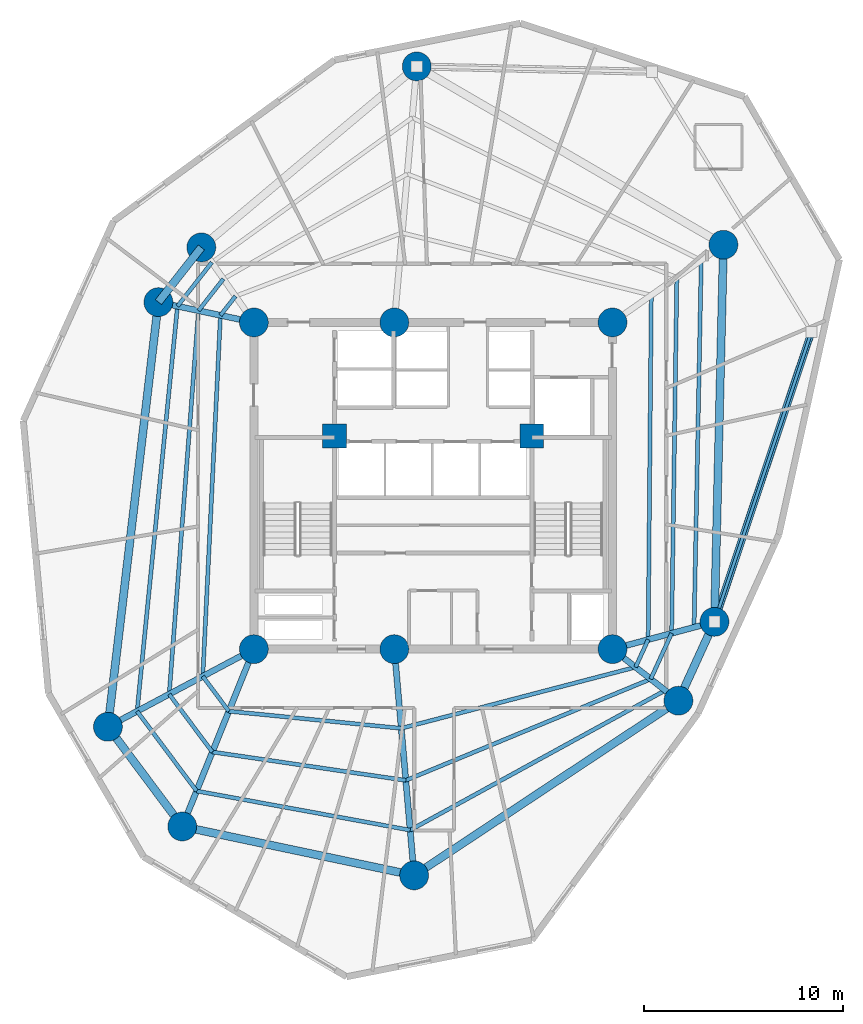
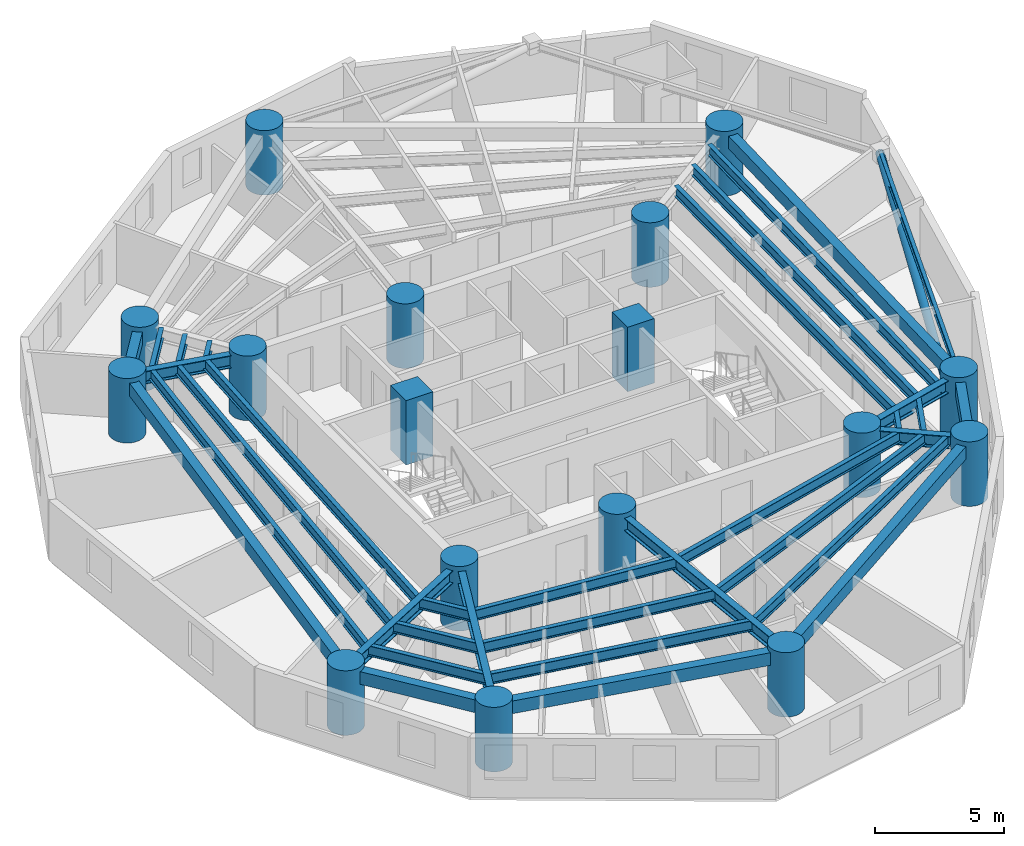
# One storey, part 1 of 8: 34 beams, 17 columns, 1 member.
"""IFC4 building model written with IfcOpenShell, lengths in metres."""

from ifc_helpers import new_model, si_unit, direction, frame, origin, origin_with_axes, origin_2d, place, context, subcontext, project, spatial, rectangle, circle, hollow_circle, i_section, extrude, source, transform, mapped, material, material_profile, profile_set, type_object, element, save


model = new_model("IFC4")

# Units and contexts
model_context = context("Model", 3, precision=1e-05, world=origin(), true_north=direction((0.0, 1.0)))
body_context = subcontext(model_context, "Body", "Model", "MODEL_VIEW")
ifc_project = project(units=[si_unit("LENGTHUNIT", "METRE"), si_unit("AREAUNIT", "SQUARE_METRE"), si_unit("VOLUMEUNIT", "CUBIC_METRE"), si_unit("PLANEANGLEUNIT", "RADIAN"), si_unit("MASSUNIT", "GRAM", prefix="KILO")], contexts=[model_context])

# Site, building, storey
site_placement = place(None, origin())
site = spatial("IfcSite", under=ifc_project, at=site_placement, CompositionType="ELEMENT")
building_placement = place(site_placement, origin())
building = spatial("IfcBuilding", under=site, at=building_placement, Name="Karkom Vertical University and Central Library", CompositionType="ELEMENT")
storey_placement = place(building_placement, frame((0.0, 0.0, 126.699951171875)))
storey = spatial("IfcBuildingStorey", under=building, at=storey_placement, Name="L35", CompositionType="ELEMENT", Elevation=126.699951171875)

# Columns
ifc_material_1 = material(Name="Concrete C50/60", Category="concrete")
ifc_material_profile_1 = material_profile(ifc_material_1, circle(Radius=0.72509765625, at=origin_2d()), Name="CFT-D1450")
ifc_profile_set_1 = profile_set([ifc_material_profile_1], Name="Concrete C50/60")
column_type_1 = type_object("IfcColumnType", Name="STR-COL-C-SC3", PredefinedType="COLUMN", material=ifc_profile_set_1)
shared_shape_1 = source(origin_with_axes(), body_context, "Body", "SweptSolid", [
    extrude(circle(Radius=0.72509765625, at=origin_2d()), origin(), (0.0, 0.0, 1.0), 3.050048828125),
])
for number, where, z_axis, x_axis, name in (
    (1, (19.5, 18.300048828125, 0.0), (0.0, 0.0, 1.0), (1.0, 0.0, 0.0), "Level 35 Spine Mega-Column SC-1"),
    (2, (26.550048828125, 18.300048828125, 0.0), (0.0, 0.0, 1.0), (1.0, 0.0, 0.0), "Level 35 Spine Mega-Column SC-2"),
    (3, (37.5, 18.300048828125, 0.0), (0.0, 0.0, 1.0), (1.0, 0.0, 0.0), "Level 35 Spine Mega-Column SC-3"),
    (4, (19.5, 34.699951171875, 0.0), (0.0, 0.0, 1.0), (1.0, 0.0, 0.0), "Level 35 Spine Mega-Column SC-4"),
    (5, (26.550048828125, 34.699951171875, 0.0), (0.0, 0.0, 1.0), (1.0, 0.0, 0.0), "Level 35 Spine Mega-Column SC-5"),
    (6, (37.5, 34.699951171875, 0.0), (0.0, 0.0, 1.0), (1.0, 0.0, 0.0), "Level 35 Spine Mega-Column SC-6"),
    (7, (42.618896484375, 19.672119140625, 0.0), (0.0, 0.0, 1.0), (1.0, 0.0, 0.0), "Level 35 Perimeter Mega-Column Z2-PC1"),
    (8, (43.070068359375, 38.60009765625, 0.0), (0.0, 0.0, 1.0), (1.0, 0.0, 0.0), "Level 35 Perimeter Mega-Column Z2-PC2"),
    (9, (27.674072265625, 47.551025390625, 0.0), (0.0, 0.0, 1.0), (1.0, 0.0, 0.0), "Level 35 Perimeter Mega-Column Z2-PC3"),
    (10, (16.862060546875, 38.468017578125, 0.0), (0.0, 0.0, 1.0), (1.0, 0.0, 0.0), "Level 35 Perimeter Mega-Column Z2-PC4"),
    (11, (14.70703125, 35.718994140625, 0.0), (0.0, 0.0, 1.0), (1.0, 0.0, 0.0), "Level 35 Perimeter Mega-Column Z2-PC5"),
    (12, (12.172119140625, 14.403076171875, 0.0), (0.0, 0.0, 1.0), (1.0, 0.0, 0.0), "Level 35 Perimeter Mega-Column Z2-PC6"),
    (13, (15.904052734375, 9.39892578125, 0.0), (0.0, 0.0, 1.0), (1.0, 0.0, 0.0), "Level 35 Perimeter Mega-Column Z2-PC7"),
    (14, (27.5439453125, 6.943115234375, 0.0), (0.0, 0.0, 1.0), (1.0, 0.0, 0.0), "Level 35 Perimeter Mega-Column Z2-PC8"),
    (15, (40.81005859375, 15.714111328125, 0.0), (0.0, 0.0, 1.0), (1.0, 0.0, 0.0), "Level 35 Perimeter Mega-Column Z2-PC9"),
):
    element("IfcColumn", number, at=place(storey_placement, frame(where, z_axis=z_axis, x_axis=x_axis)), inside=storey, type_object=column_type_1, Name=name, PredefinedType="COLUMN", context=body_context, shape_type="MappedRepresentation", body=[
        mapped(shared_shape_1, transform((0.0, 0.0, 0.0), scale=1.0)),
    ])
ifc_material_profile_2 = material_profile(ifc_material_1, rectangle(XDim=1.199951171875, YDim=1.199951171875, at=origin_2d()), Name="RC-1200x1200")
ifc_profile_set_2 = profile_set([ifc_material_profile_2], Name="Concrete C50/60")
column_type_2 = type_object("IfcColumnType", Name="STR-COL-C-CC1", PredefinedType="COLUMN", material=ifc_profile_set_2)
shared_shape_2 = source(origin_with_axes(), body_context, "Body", "SweptSolid", [
    extrude(rectangle(XDim=1.199951171875, YDim=1.199951171875, at=origin_2d()), origin(), (0.0, 0.0, 1.0), 3.050048828125),
])
for number, where, z_axis, x_axis, name in (
    (16, (23.550048828125, 29.0, 0.0), (0.0, 0.0, 1.0), (1.0, 0.0, 0.0), "Level 35 Core Node Column CC-1"),
    (17, (33.449951171875, 29.0, 0.0), (0.0, 0.0, 1.0), (1.0, 0.0, 0.0), "Level 35 Core Node Column CC-2"),
):
    element("IfcColumn", number, at=place(storey_placement, frame(where, z_axis=z_axis, x_axis=x_axis)), inside=storey, type_object=column_type_2, Name=name, PredefinedType="COLUMN", context=body_context, shape_type="MappedRepresentation", body=[
        mapped(shared_shape_2, transform((0.0, 0.0, 0.0), scale=1.0)),
    ])

# Beams
ifc_material_2 = material(Name="Precast concrete C45/55", Category="concrete")
ifc_material_profile_3 = material_profile(ifc_material_2, rectangle(XDim=0.39990234375, YDim=0.60009765625, at=origin_2d()), Name="SPB-400x600")
ifc_profile_set_3 = profile_set([ifc_material_profile_3], Name="Precast concrete C45/55")
beam_type_1 = type_object("IfcBeamType", Name="STR-BM-SP-1", PredefinedType="SPANDREL", material=ifc_profile_set_3)
shared_shape_3 = source(origin_with_axes(), body_context, "Body", "SweptSolid", [
    extrude(rectangle(XDim=0.39990234375, YDim=0.60009765625, at=origin_2d()), origin(), (0.0, 0.0, 1.0), 18.933349609375),
])
beam_1_placement = place(storey_placement, frame((42.618896484375, 19.672119140625, 2.525146484375), z_axis=(0.02382947333, 0.999716037783, 0.0), x_axis=(-0.999716037783, 0.02382947333, 0.0)))
element("IfcBeam", 18, at=beam_1_placement, inside=storey, type_object=beam_type_1, Name="Level 35 Perimeter Spandrel Beam 01", PredefinedType="SPANDREL", context=body_context, shape_type="MappedRepresentation", body=[
    mapped(shared_shape_3, transform((0.0, 0.0, 0.0), scale=1.0)),
])
shared_shape_4 = source(origin_with_axes(), body_context, "Body", "SweptSolid", [
    extrude(rectangle(XDim=0.39990234375, YDim=0.60009765625, at=origin_2d()), origin(), (0.0, 0.0, 1.0), 3.492919921875),
])
beam_2_placement = place(storey_placement, frame((16.862060546875, 38.468017578125, 2.525146484375), z_axis=(-0.616950700538, -0.787001799938, 0.0), x_axis=(0.787001799938, -0.616950700538, 0.0)))
element("IfcBeam", 19, at=beam_2_placement, inside=storey, type_object=beam_type_1, Name="Level 35 Perimeter Spandrel Beam 04", PredefinedType="SPANDREL", context=body_context, shape_type="MappedRepresentation", body=[
    mapped(shared_shape_4, transform((0.0, 0.0, 0.0), scale=1.0)),
])
shared_shape_5 = source(origin_with_axes(), body_context, "Body", "SweptSolid", [
    extrude(rectangle(XDim=0.39990234375, YDim=0.60009765625, at=origin_2d()), origin(), (0.0, 0.0, 1.0), 21.466064453125),
])
beam_3_placement = place(storey_placement, frame((14.70703125, 35.718994140625, 2.525146484375), z_axis=(-0.118088996795, -0.993003015522, 0.0), x_axis=(0.993003015522, -0.118088996795, 0.0)))
element("IfcBeam", 20, at=beam_3_placement, inside=storey, type_object=beam_type_1, Name="Level 35 Perimeter Spandrel Beam 05", PredefinedType="SPANDREL", context=body_context, shape_type="MappedRepresentation", body=[
    mapped(shared_shape_5, transform((0.0, 0.0, 0.0), scale=1.0)),
])
shared_shape_6 = source(origin_with_axes(), body_context, "Body", "SweptSolid", [
    extrude(rectangle(XDim=0.39990234375, YDim=0.60009765625, at=origin_2d()), origin(), (0.0, 0.0, 1.0), 6.242431640625),
])
beam_4_placement = place(storey_placement, frame((12.172119140625, 14.403076171875, 2.525146484375), z_axis=(0.59782643552, -0.801625569074, 0.0), x_axis=(0.801625569074, 0.59782643552, 0.0)))
element("IfcBeam", 21, at=beam_4_placement, inside=storey, type_object=beam_type_1, Name="Level 35 Perimeter Spandrel Beam 06", PredefinedType="SPANDREL", context=body_context, shape_type="MappedRepresentation", body=[
    mapped(shared_shape_6, transform((0.0, 0.0, 0.0), scale=1.0)),
])
shared_shape_7 = source(origin_with_axes(), body_context, "Body", "SweptSolid", [
    extrude(rectangle(XDim=0.39990234375, YDim=0.60009765625, at=origin_2d()), origin(), (0.0, 0.0, 1.0), 11.896240234375),
])
beam_5_placement = place(storey_placement, frame((15.904052734375, 9.39892578125, 2.525146484375), z_axis=(0.978459762135, -0.206437627101, 0.0), x_axis=(0.206437627101, 0.978459762135, 0.0)))
element("IfcBeam", 22, at=beam_5_placement, inside=storey, type_object=beam_type_1, Name="Level 35 Perimeter Spandrel Beam 07", PredefinedType="SPANDREL", context=body_context, shape_type="MappedRepresentation", body=[
    mapped(shared_shape_7, transform((0.0, 0.0, 0.0), scale=1.0)),
])
shared_shape_8 = source(origin_with_axes(), body_context, "Body", "SweptSolid", [
    extrude(rectangle(XDim=0.39990234375, YDim=0.60009765625, at=origin_2d()), origin(), (0.0, 0.0, 1.0), 15.903564453125),
])
beam_6_placement = place(storey_placement, frame((27.5439453125, 6.943115234375, 2.525146484375), z_axis=(0.834165069331, 0.551514856652, 0.0), x_axis=(-0.551514856652, 0.834165069331, 0.0)))
element("IfcBeam", 23, at=beam_6_placement, inside=storey, type_object=beam_type_1, Name="Level 35 Perimeter Spandrel Beam 08", PredefinedType="SPANDREL", context=body_context, shape_type="MappedRepresentation", body=[
    mapped(shared_shape_8, transform((0.0, 0.0, 0.0), scale=1.0)),
])
shared_shape_9 = source(origin_with_axes(), body_context, "Body", "SweptSolid", [
    extrude(rectangle(XDim=0.39990234375, YDim=0.60009765625, at=origin_2d()), origin(), (0.0, 0.0, 1.0), 4.351806640625),
])
beam_7_placement = place(storey_placement, frame((40.81005859375, 15.714111328125, 2.525146484375), z_axis=(0.415657668422, 0.909521139217, 0.0), x_axis=(-0.909521139217, 0.415657668422, 0.0)))
element("IfcBeam", 24, at=beam_7_placement, inside=storey, type_object=beam_type_1, Name="Level 35 Perimeter Spandrel Beam 09", PredefinedType="SPANDREL", context=body_context, shape_type="MappedRepresentation", body=[
    mapped(shared_shape_9, transform((0.0, 0.0, 0.0), scale=1.0)),
])
ifc_material_3 = material(Name="Steel S355", Category="steel")
ifc_material_profile_4 = material_profile(ifc_material_3, i_section(OverallWidth=0.199951171875, OverallDepth=0.5, WebThickness=0.01025390625, FlangeThickness=0.01611328125, FilletRadius=0.02099609375, at=origin_2d()), Name="IPE 500")
ifc_profile_set_4 = profile_set([ifc_material_profile_4], Name="Steel S355")
beam_type_2 = type_object("IfcBeamType", Name="STR-BM-SB-IPE500", PredefinedType="BEAM", material=ifc_profile_set_4)
shared_shape_10 = source(origin_with_axes(), body_context, "Body", "SweptSolid", [
    extrude(i_section(OverallWidth=0.199951171875, OverallDepth=0.5, WebThickness=0.01025390625, FlangeThickness=0.01611328125, FilletRadius=0.02099609375, at=origin_2d()), origin(), (0.0, 0.0, 1.0), 17.285400390625),
])
beam_8_placement = place(storey_placement, frame((39.29150390625, 18.7802734375, 2.574951171875), z_axis=(0.009138294648, 0.999958244914, 0.0), x_axis=(-0.999958244914, 0.009138294648, 0.0)))
element("IfcBeam", 25, at=beam_8_placement, inside=storey, type_object=beam_type_2, Name="Level 35 Secondary Composite Floor Beam 1.01", PredefinedType="BEAM", context=body_context, shape_type="MappedRepresentation", body=[
    mapped(shared_shape_10, transform((0.0, 0.0, 0.0), scale=1.0)),
])
shared_shape_11 = source(origin_with_axes(), body_context, "Body", "SweptSolid", [
    extrude(i_section(OverallWidth=0.199951171875, OverallDepth=0.5, WebThickness=0.01025390625, FlangeThickness=0.01611328125, FilletRadius=0.02099609375, at=origin_2d()), origin(), (0.0, 0.0, 1.0), 1.222412109375),
])
beam_9_placement = place(storey_placement, frame((18.57666015625, 36.018798828125, 2.574951171875), z_axis=(-0.616895037184, -0.787045432677, 0.0), x_axis=(0.787045432677, -0.616895037184, 0.0)))
element("IfcBeam", 26, at=beam_9_placement, inside=storey, type_object=beam_type_2, Name="Level 35 Secondary Composite Floor Beam 1.04", PredefinedType="BEAM", context=body_context, shape_type="MappedRepresentation", body=[
    mapped(shared_shape_11, transform((0.0, 0.0, 0.0), scale=1.0)),
])
shared_shape_12 = source(origin_with_axes(), body_context, "Body", "SweptSolid", [
    extrude(i_section(OverallWidth=0.199951171875, OverallDepth=0.5, WebThickness=0.01025390625, FlangeThickness=0.01611328125, FilletRadius=0.02099609375, at=origin_2d()), origin(), (0.0, 0.0, 1.0), 18.142333984375),
])
beam_10_placement = place(storey_placement, frame((17.822509765625, 35.056640625, 2.574951171875), z_axis=(-0.048902644774, -0.998803549921, 0.0), x_axis=(0.998803549921, -0.048902644774, 0.0)))
element("IfcBeam", 27, at=beam_10_placement, inside=storey, type_object=beam_type_2, Name="Level 35 Secondary Composite Floor Beam 1.05", PredefinedType="BEAM", context=body_context, shape_type="MappedRepresentation", body=[
    mapped(shared_shape_12, transform((0.0, 0.0, 0.0), scale=1.0)),
])
shared_shape_13 = source(origin_with_axes(), body_context, "Body", "SweptSolid", [
    extrude(i_section(OverallWidth=0.199951171875, OverallDepth=0.5, WebThickness=0.01025390625, FlangeThickness=0.01611328125, FilletRadius=0.02099609375, at=origin_2d()), origin(), (0.0, 0.0, 1.0), 2.1845703125),
])
beam_11_placement = place(storey_placement, frame((16.935302734375, 16.93603515625, 2.574951171875), z_axis=(0.597870130664, -0.801592980795, 0.0), x_axis=(0.801592980795, 0.597870130664, 0.0)))
element("IfcBeam", 28, at=beam_11_placement, inside=storey, type_object=beam_type_2, Name="Level 35 Secondary Composite Floor Beam 1.06", PredefinedType="BEAM", context=body_context, shape_type="MappedRepresentation", body=[
    mapped(shared_shape_13, transform((0.0, 0.0, 0.0), scale=1.0)),
])
shared_shape_14 = source(origin_with_axes(), body_context, "Body", "SweptSolid", [
    extrude(i_section(OverallWidth=0.199951171875, OverallDepth=0.5, WebThickness=0.01025390625, FlangeThickness=0.01611328125, FilletRadius=0.02099609375, at=origin_2d()), origin(), (0.0, 0.0, 1.0), 8.698974609375),
])
beam_12_placement = place(storey_placement, frame((18.241455078125, 15.184814453125, 2.574951171875), z_axis=(0.995105588045, -0.098817349903, 0.0), x_axis=(0.098817349903, 0.995105588045, 0.0)))
element("IfcBeam", 29, at=beam_12_placement, inside=storey, type_object=beam_type_2, Name="Level 35 Secondary Composite Floor Beam 1.07", PredefinedType="BEAM", context=body_context, shape_type="MappedRepresentation", body=[
    mapped(shared_shape_14, transform((0.0, 0.0, 0.0), scale=1.0)),
])
shared_shape_15 = source(origin_with_axes(), body_context, "Body", "SweptSolid", [
    extrude(i_section(OverallWidth=0.199951171875, OverallDepth=0.5, WebThickness=0.01025390625, FlangeThickness=0.01611328125, FilletRadius=0.02099609375, at=origin_2d()), origin(), (0.0, 0.0, 1.0), 12.154541015625),
])
beam_13_placement = place(storey_placement, frame((26.89794921875, 14.3251953125, 2.574951171875), z_axis=(0.967579719768, 0.252565805077, 0.0), x_axis=(-0.252565805077, 0.967579719768, 0.0)))
element("IfcBeam", 30, at=beam_13_placement, inside=storey, type_object=beam_type_2, Name="Level 35 Secondary Composite Floor Beam 1.08", PredefinedType="BEAM", context=body_context, shape_type="MappedRepresentation", body=[
    mapped(shared_shape_15, transform((0.0, 0.0, 0.0), scale=1.0)),
])
shared_shape_16 = source(origin_with_axes(), body_context, "Body", "SweptSolid", [
    extrude(i_section(OverallWidth=0.199951171875, OverallDepth=0.5, WebThickness=0.01025390625, FlangeThickness=0.01611328125, FilletRadius=0.02099609375, at=origin_2d()), origin(), (0.0, 0.0, 1.0), 1.52294921875),
])
beam_14_placement = place(storey_placement, frame((38.658447265625, 17.39501953125, 2.574951171875), z_axis=(0.415649898107, 0.909524690266, 0.0), x_axis=(-0.909524690266, 0.415649898107, 0.0)))
element("IfcBeam", 31, at=beam_14_placement, inside=storey, type_object=beam_type_2, Name="Level 35 Secondary Composite Floor Beam 1.09", PredefinedType="BEAM", context=body_context, shape_type="MappedRepresentation", body=[
    mapped(shared_shape_16, transform((0.0, 0.0, 0.0), scale=1.0)),
])
shared_shape_17 = source(origin_with_axes(), body_context, "Body", "SweptSolid", [
    extrude(i_section(OverallWidth=0.199951171875, OverallDepth=0.5, WebThickness=0.01025390625, FlangeThickness=0.01611328125, FilletRadius=0.02099609375, at=origin_2d()), origin(), (0.0, 0.0, 1.0), 17.8681640625),
])
beam_15_placement = place(storey_placement, frame((40.468994140625, 19.095703125, 2.574951171875), z_axis=(0.014647239676, 0.999892723431, 0.0), x_axis=(-0.999892723431, 0.014647239676, 0.0)))
element("IfcBeam", 32, at=beam_15_placement, inside=storey, type_object=beam_type_2, Name="Level 35 Secondary Composite Floor Beam 2.01", PredefinedType="BEAM", context=body_context, shape_type="MappedRepresentation", body=[
    mapped(shared_shape_17, transform((0.0, 0.0, 0.0), scale=1.0)),
])
shared_shape_18 = source(origin_with_axes(), body_context, "Body", "SweptSolid", [
    extrude(i_section(OverallWidth=0.199951171875, OverallDepth=0.5, WebThickness=0.01025390625, FlangeThickness=0.01611328125, FilletRadius=0.02099609375, at=origin_2d()), origin(), (0.0, 0.0, 1.0), 2.02587890625),
])
beam_16_placement = place(storey_placement, frame((17.969970703125, 36.885498046875, 2.574951171875), z_axis=(-0.616889733535, -0.787049589708, 0.0), x_axis=(0.787049589708, -0.616889733535, 0.0)))
element("IfcBeam", 33, at=beam_16_placement, inside=storey, type_object=beam_type_2, Name="Level 35 Secondary Composite Floor Beam 2.04", PredefinedType="BEAM", context=body_context, shape_type="MappedRepresentation", body=[
    mapped(shared_shape_18, transform((0.0, 0.0, 0.0), scale=1.0)),
])
shared_shape_19 = source(origin_with_axes(), body_context, "Body", "SweptSolid", [
    extrude(i_section(OverallWidth=0.199951171875, OverallDepth=0.5, WebThickness=0.01025390625, FlangeThickness=0.01611328125, FilletRadius=0.02099609375, at=origin_2d()), origin(), (0.0, 0.0, 1.0), 19.307373046875),
])
beam_17_placement = place(storey_placement, frame((16.72021484375, 35.291015625, 2.574951171875), z_axis=(-0.07616078645, -0.997095549387, 0.0), x_axis=(0.997095549387, -0.07616078645, 0.0)))
element("IfcBeam", 34, at=beam_17_placement, inside=storey, type_object=beam_type_2, Name="Level 35 Secondary Composite Floor Beam 2.05", PredefinedType="BEAM", context=body_context, shape_type="MappedRepresentation", body=[
    mapped(shared_shape_19, transform((0.0, 0.0, 0.0), scale=1.0)),
])
shared_shape_20 = source(origin_with_axes(), body_context, "Body", "SweptSolid", [
    extrude(i_section(OverallWidth=0.199951171875, OverallDepth=0.5, WebThickness=0.01025390625, FlangeThickness=0.01611328125, FilletRadius=0.02099609375, at=origin_2d()), origin(), (0.0, 0.0, 1.0), 3.62060546875),
])
beam_18_placement = place(storey_placement, frame((15.249755859375, 16.039794921875, 2.574951171875), z_axis=(0.59784003707, -0.801615425298, 0.0), x_axis=(0.801615425298, 0.59784003707, 0.0)))
element("IfcBeam", 35, at=beam_18_placement, inside=storey, type_object=beam_type_2, Name="Level 35 Secondary Composite Floor Beam 2.06", PredefinedType="BEAM", context=body_context, shape_type="MappedRepresentation", body=[
    mapped(shared_shape_20, transform((0.0, 0.0, 0.0), scale=1.0)),
])
shared_shape_21 = source(origin_with_axes(), body_context, "Body", "SweptSolid", [
    extrude(i_section(OverallWidth=0.199951171875, OverallDepth=0.5, WebThickness=0.01025390625, FlangeThickness=0.01611328125, FilletRadius=0.02099609375, at=origin_2d()), origin(), (0.0, 0.0, 1.0), 9.816162109375),
])
beam_19_placement = place(storey_placement, frame((17.414306640625, 13.137451171875, 2.574951171875), z_axis=(0.989413295367, -0.145125225069, 0.0), x_axis=(0.145125225069, 0.989413295367, 0.0)))
element("IfcBeam", 36, at=beam_19_placement, inside=storey, type_object=beam_type_2, Name="Level 35 Secondary Composite Floor Beam 2.07", PredefinedType="BEAM", context=body_context, shape_type="MappedRepresentation", body=[
    mapped(shared_shape_21, transform((0.0, 0.0, 0.0), scale=1.0)),
])
shared_shape_22 = source(origin_with_axes(), body_context, "Body", "SweptSolid", [
    extrude(i_section(OverallWidth=0.199951171875, OverallDepth=0.5, WebThickness=0.01025390625, FlangeThickness=0.01611328125, FilletRadius=0.02099609375, at=origin_2d()), origin(), (0.0, 0.0, 1.0), 13.304443359375),
])
beam_20_placement = place(storey_placement, frame((27.12646484375, 11.712890625, 2.574951171875), z_axis=(0.924011243398, 0.382365299255, 0.0), x_axis=(-0.382365299255, 0.924011243398, 0.0)))
element("IfcBeam", 37, at=beam_20_placement, inside=storey, type_object=beam_type_2, Name="Level 35 Secondary Composite Floor Beam 2.08", PredefinedType="BEAM", context=body_context, shape_type="MappedRepresentation", body=[
    mapped(shared_shape_22, transform((0.0, 0.0, 0.0), scale=1.0)),
])
shared_shape_23 = source(origin_with_axes(), body_context, "Body", "SweptSolid", [
    extrude(i_section(OverallWidth=0.199951171875, OverallDepth=0.5, WebThickness=0.01025390625, FlangeThickness=0.01611328125, FilletRadius=0.02099609375, at=origin_2d()), origin(), (0.0, 0.0, 1.0), 2.52392578125),
])
beam_21_placement = place(storey_placement, frame((39.419921875, 16.800048828125, 2.574951171875), z_axis=(0.415638602127, 0.909529852408, 0.0), x_axis=(-0.909529852408, 0.415638602127, 0.0)))
element("IfcBeam", 38, at=beam_21_placement, inside=storey, type_object=beam_type_2, Name="Level 35 Secondary Composite Floor Beam 2.09", PredefinedType="BEAM", context=body_context, shape_type="MappedRepresentation", body=[
    mapped(shared_shape_23, transform((0.0, 0.0, 0.0), scale=1.0)),
])
shared_shape_24 = source(origin_with_axes(), body_context, "Body", "SweptSolid", [
    extrude(i_section(OverallWidth=0.199951171875, OverallDepth=0.5, WebThickness=0.01025390625, FlangeThickness=0.01611328125, FilletRadius=0.02099609375, at=origin_2d()), origin(), (0.0, 0.0, 1.0), 18.42578125),
])
beam_22_placement = place(storey_placement, frame((41.59521484375, 19.397705078125, 2.574951171875), z_axis=(0.019583298818, 0.999808228816, 0.0), x_axis=(-0.999808228816, 0.019583298818, 0.0)))
element("IfcBeam", 39, at=beam_22_placement, inside=storey, type_object=beam_type_2, Name="Level 35 Secondary Composite Floor Beam 3.01", PredefinedType="BEAM", context=body_context, shape_type="MappedRepresentation", body=[
    mapped(shared_shape_24, transform((0.0, 0.0, 0.0), scale=1.0)),
])
shared_shape_25 = source(origin_with_axes(), body_context, "Body", "SweptSolid", [
    extrude(i_section(OverallWidth=0.199951171875, OverallDepth=0.5, WebThickness=0.01025390625, FlangeThickness=0.01611328125, FilletRadius=0.02099609375, at=origin_2d()), origin(), (0.0, 0.0, 1.0), 2.79443359375),
])
beam_23_placement = place(storey_placement, frame((17.3896484375, 37.71435546875, 2.574951171875), z_axis=(-0.616972344898, -0.786984831894, 0.0), x_axis=(0.786984831894, -0.616972344898, 0.0)))
element("IfcBeam", 40, at=beam_23_placement, inside=storey, type_object=beam_type_2, Name="Level 35 Secondary Composite Floor Beam 3.04", PredefinedType="BEAM", context=body_context, shape_type="MappedRepresentation", body=[
    mapped(shared_shape_25, transform((0.0, 0.0, 0.0), scale=1.0)),
])
shared_shape_26 = source(origin_with_axes(), body_context, "Body", "SweptSolid", [
    extrude(i_section(OverallWidth=0.199951171875, OverallDepth=0.5, WebThickness=0.01025390625, FlangeThickness=0.01611328125, FilletRadius=0.02099609375, at=origin_2d()), origin(), (0.0, 0.0, 1.0), 20.43359375),
])
beam_24_placement = place(storey_placement, frame((15.66552734375, 35.51513671875, 2.574951171875), z_axis=(-0.099239913611, -0.995063535432, 0.0), x_axis=(0.995063535432, -0.099239913611, 0.0)))
element("IfcBeam", 41, at=beam_24_placement, inside=storey, type_object=beam_type_2, Name="Level 35 Secondary Composite Floor Beam 3.05", PredefinedType="BEAM", context=body_context, shape_type="MappedRepresentation", body=[
    mapped(shared_shape_26, transform((0.0, 0.0, 0.0), scale=1.0)),
])
shared_shape_27 = source(origin_with_axes(), body_context, "Body", "SweptSolid", [
    extrude(i_section(OverallWidth=0.199951171875, OverallDepth=0.5, WebThickness=0.01025390625, FlangeThickness=0.01611328125, FilletRadius=0.02099609375, at=origin_2d()), origin(), (0.0, 0.0, 1.0), 4.993896484375),
])
beam_25_placement = place(storey_placement, frame((13.6376953125, 15.182373046875, 2.574951171875), z_axis=(0.597846775537, -0.801610399745, 0.0), x_axis=(0.801610399745, 0.597846775537, 0.0)))
element("IfcBeam", 42, at=beam_25_placement, inside=storey, type_object=beam_type_2, Name="Level 35 Secondary Composite Floor Beam 3.06", PredefinedType="BEAM", context=body_context, shape_type="MappedRepresentation", body=[
    mapped(shared_shape_27, transform((0.0, 0.0, 0.0), scale=1.0)),
])
shared_shape_28 = source(origin_with_axes(), body_context, "Body", "SweptSolid", [
    extrude(i_section(OverallWidth=0.199951171875, OverallDepth=0.5, WebThickness=0.01025390625, FlangeThickness=0.01611328125, FilletRadius=0.02099609375, at=origin_2d()), origin(), (0.0, 0.0, 1.0), 10.900390625),
])
beam_26_placement = place(storey_placement, frame((16.623291015625, 11.17919921875, 2.574951171875), z_axis=(0.98362026014, -0.180253110495, 0.0), x_axis=(0.180253110495, 0.98362026014, 0.0)))
element("IfcBeam", 43, at=beam_26_placement, inside=storey, type_object=beam_type_2, Name="Level 35 Secondary Composite Floor Beam 3.07", PredefinedType="BEAM", context=body_context, shape_type="MappedRepresentation", body=[
    mapped(shared_shape_28, transform((0.0, 0.0, 0.0), scale=1.0)),
])
shared_shape_29 = source(origin_with_axes(), body_context, "Body", "SweptSolid", [
    extrude(i_section(OverallWidth=0.199951171875, OverallDepth=0.5, WebThickness=0.01025390625, FlangeThickness=0.01611328125, FilletRadius=0.02099609375, at=origin_2d()), origin(), (0.0, 0.0, 1.0), 14.599609375),
])
beam_27_placement = place(storey_placement, frame((27.34521484375, 9.21435546875, 2.574951171875), z_axis=(0.876928143127, 0.480621505752, 0.0), x_axis=(-0.480621505752, 0.876928143127, 0.0)))
element("IfcBeam", 44, at=beam_27_placement, inside=storey, type_object=beam_type_2, Name="Level 35 Secondary Composite Floor Beam 3.08", PredefinedType="BEAM", context=body_context, shape_type="MappedRepresentation", body=[
    mapped(shared_shape_29, transform((0.0, 0.0, 0.0), scale=1.0)),
])
ifc_material_profile_5 = material_profile(ifc_material_3, i_section(OverallWidth=0.300048828125, OverallDepth=0.60009765625, WebThickness=0.015380859375, FlangeThickness=0.030029296875, FilletRadius=0.027099609375, at=origin_2d()), Name="HE 600 B")
ifc_profile_set_5 = profile_set([ifc_material_profile_5], Name="Steel S355")
beam_type_3 = type_object("IfcBeamType", Name="STR-BM-SB-HE600", PredefinedType="USERDEFINED", material=ifc_profile_set_5)
shared_shape_30 = source(origin_with_axes(), body_context, "Body", "SweptSolid", [
    extrude(i_section(OverallWidth=0.300048828125, OverallDepth=0.60009765625, WebThickness=0.015380859375, FlangeThickness=0.030029296875, FilletRadius=0.027099609375, at=origin_2d()), origin(), (0.0, 0.0, 1.0), 5.299560546875),
])
beam_28_placement = place(storey_placement, frame((37.5, 18.300048828125, 2.525146484375), z_axis=(0.965903833688, 0.258901108663, 0.0), x_axis=(-0.258901108663, 0.965903833688, 0.0)))
element("IfcBeam", 45, at=beam_28_placement, inside=storey, type_object=beam_type_3, Name="Level 35 Radial Frame Girder 01", ObjectType="GIRDER", PredefinedType="USERDEFINED", context=body_context, shape_type="MappedRepresentation", body=[
    mapped(shared_shape_30, transform((0.0, 0.0, 0.0), scale=1.0)),
])
shared_shape_31 = source(origin_with_axes(), body_context, "Body", "SweptSolid", [
    extrude(i_section(OverallWidth=0.300048828125, OverallDepth=0.60009765625, WebThickness=0.015380859375, FlangeThickness=0.030029296875, FilletRadius=0.027099609375, at=origin_2d()), origin(), (0.0, 0.0, 1.0), 4.900146484375),
])
beam_29_placement = place(storey_placement, frame((19.5, 34.699951171875, 2.525146484375), z_axis=(-0.978136559131, 0.207963630695, 0.0), x_axis=(-0.207963630695, -0.978136559131, 0.0)))
element("IfcBeam", 46, at=beam_29_placement, inside=storey, type_object=beam_type_3, Name="Level 35 Radial Frame Girder 05", ObjectType="GIRDER", PredefinedType="USERDEFINED", context=body_context, shape_type="MappedRepresentation", body=[
    mapped(shared_shape_31, transform((0.0, 0.0, 0.0), scale=1.0)),
])
shared_shape_32 = source(origin_with_axes(), body_context, "Body", "SweptSolid", [
    extrude(i_section(OverallWidth=0.300048828125, OverallDepth=0.60009765625, WebThickness=0.015380859375, FlangeThickness=0.030029296875, FilletRadius=0.027099609375, at=origin_2d()), origin(), (0.0, 0.0, 1.0), 8.299560546875),
])
beam_30_placement = place(storey_placement, frame((19.5, 18.300048828125, 2.525146484375), z_axis=(-0.882914163564, -0.469534428746, 0.0), x_axis=(0.469534428746, -0.882914163564, 0.0)))
element("IfcBeam", 47, at=beam_30_placement, inside=storey, type_object=beam_type_3, Name="Level 35 Radial Frame Girder 06", ObjectType="GIRDER", PredefinedType="USERDEFINED", context=body_context, shape_type="MappedRepresentation", body=[
    mapped(shared_shape_32, transform((0.0, 0.0, 0.0), scale=1.0)),
])
shared_shape_33 = source(origin_with_axes(), body_context, "Body", "SweptSolid", [
    extrude(i_section(OverallWidth=0.300048828125, OverallDepth=0.60009765625, WebThickness=0.015380859375, FlangeThickness=0.030029296875, FilletRadius=0.027099609375, at=origin_2d()), origin(), (0.0, 0.0, 1.0), 9.60009765625),
])
beam_31_placement = place(storey_placement, frame((19.5, 18.300048828125, 2.525146484375), z_axis=(-0.374576157034, -0.927196151082, 0.0), x_axis=(0.927196151082, -0.374576157034, 0.0)))
element("IfcBeam", 48, at=beam_31_placement, inside=storey, type_object=beam_type_3, Name="Level 35 Radial Frame Girder 07", ObjectType="GIRDER", PredefinedType="USERDEFINED", context=body_context, shape_type="MappedRepresentation", body=[
    mapped(shared_shape_33, transform((0.0, 0.0, 0.0), scale=1.0)),
])
shared_shape_34 = source(origin_with_axes(), body_context, "Body", "SweptSolid", [
    extrude(i_section(OverallWidth=0.300048828125, OverallDepth=0.60009765625, WebThickness=0.015380859375, FlangeThickness=0.030029296875, FilletRadius=0.027099609375, at=origin_2d()), origin(), (0.0, 0.0, 1.0), 11.400390625),
])
beam_32_placement = place(storey_placement, frame((26.550048828125, 18.300048828125, 2.525146484375), z_axis=(0.087181295702, -0.996192462168, 0.0), x_axis=(0.996192462168, 0.087181295702, 0.0)))
element("IfcBeam", 49, at=beam_32_placement, inside=storey, type_object=beam_type_3, Name="Level 35 Radial Frame Girder 08", ObjectType="GIRDER", PredefinedType="USERDEFINED", context=body_context, shape_type="MappedRepresentation", body=[
    mapped(shared_shape_34, transform((0.0, 0.0, 0.0), scale=1.0)),
])
shared_shape_35 = source(origin_with_axes(), body_context, "Body", "SweptSolid", [
    extrude(i_section(OverallWidth=0.300048828125, OverallDepth=0.60009765625, WebThickness=0.015380859375, FlangeThickness=0.030029296875, FilletRadius=0.027099609375, at=origin_2d()), origin(), (0.0, 0.0, 1.0), 4.200439453125),
])
beam_33_placement = place(storey_placement, frame((37.5, 18.300048828125, 2.525146484375), z_axis=(0.788029660796, -0.615637274461, 0.0), x_axis=(0.615637274461, 0.788029660796, 0.0)))
element("IfcBeam", 50, at=beam_33_placement, inside=storey, type_object=beam_type_3, Name="Level 35 Radial Frame Girder 09", ObjectType="GIRDER", PredefinedType="USERDEFINED", context=body_context, shape_type="MappedRepresentation", body=[
    mapped(shared_shape_35, transform((0.0, 0.0, 0.0), scale=1.0)),
])
ifc_material_profile_6 = material_profile(ifc_material_3, i_section(OverallWidth=0.159912109375, OverallDepth=0.330078125, WebThickness=0.007568359375, FlangeThickness=0.011474609375, FilletRadius=0.01806640625, at=origin_2d()), Name="IPE 330")
ifc_profile_set_6 = profile_set([ifc_material_profile_6], Name="Steel S355")
beam_type_4 = type_object("IfcBeamType", Name="STR-BM-SB-IPE330", PredefinedType="BEAM", material=ifc_profile_set_6)
shared_shape_36 = source(origin_with_axes(), body_context, "Body", "SweptSolid", [
    extrude(i_section(OverallWidth=0.159912109375, OverallDepth=0.330078125, WebThickness=0.007568359375, FlangeThickness=0.011474609375, FilletRadius=0.01806640625, at=origin_2d()), origin(), (0.0, 0.0, 1.0), 15.33349609375),
])
beam_34_placement = place(storey_placement, frame((42.618896484375, 19.672119140625, 2.66015625), z_axis=(0.317340493091, 0.948311663666, 0.0), x_axis=(-0.948311663666, 0.317340493091, 0.0)))
element("IfcBeam", 51, at=beam_34_placement, inside=storey, type_object=beam_type_4, Name="Level 35 Sky Garden Outrigger Support Beam 1", PredefinedType="BEAM", context=body_context, shape_type="MappedRepresentation", body=[
    mapped(shared_shape_36, transform((0.0, 0.0, 0.0), scale=1.0)),
])

# Member
ifc_material_profile_7 = material_profile(ifc_material_3, hollow_circle(Radius=0.177734375, WallThickness=0.01611328125, at=origin_2d()), Name="CHS 355.6x16")
ifc_profile_set_7 = profile_set([ifc_material_profile_7], Name="Steel S355")
member_type = type_object("IfcMemberType", Name="STR-MEM-BR-3", PredefinedType="BRACE", material=ifc_profile_set_7)
shared_shape_37 = source(origin_with_axes(), body_context, "Body", "SweptSolid", [
    extrude(hollow_circle(Radius=0.177734375, WallThickness=0.01611328125, at=origin_2d()), origin(), (0.0, 0.0, 1.0), 15.506591796875),
])
member_placement = place(storey_placement, frame((42.618896484375, 19.672119140625, 0.35009765625), z_axis=(0.313799400518, 0.937729782493, 0.148972451342), x_axis=(-0.948311663666, 0.317340493091, 0.0)))
element("IfcMember", 52, at=member_placement, inside=storey, type_object=member_type, Name="Level 35 Sky Garden Knee Strut Brace 1", PredefinedType="BRACE", context=body_context, shape_type="MappedRepresentation", body=[
    mapped(shared_shape_37, transform((0.0, 0.0, 0.0), scale=1.0)),
])

save(model, "model.ifc")
